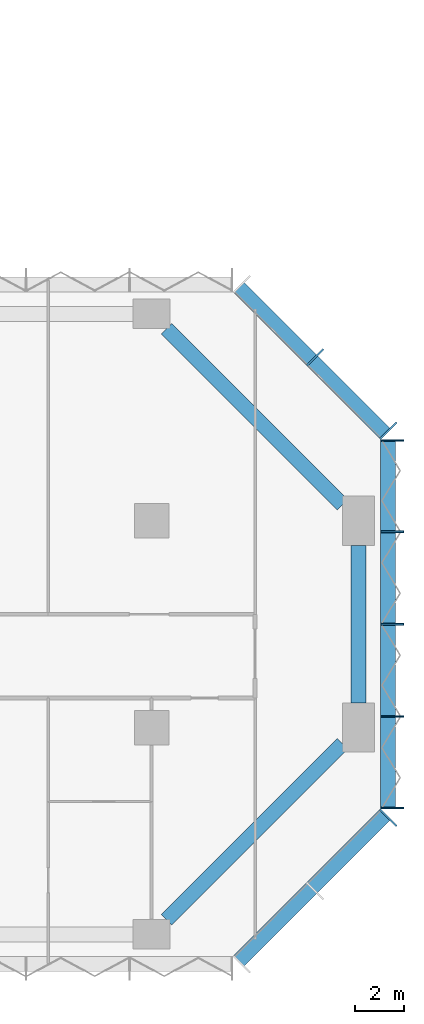
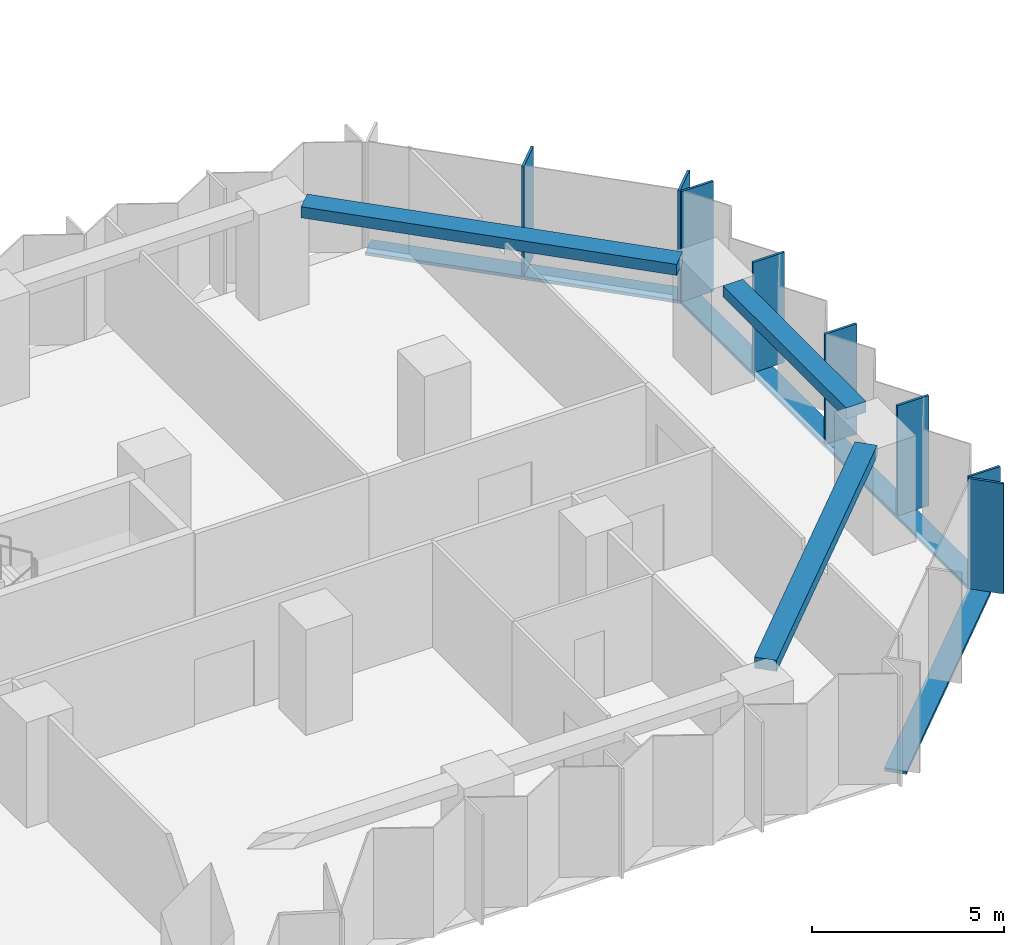
# One storey, part 4 of 15: 11 members, 3 beams, 3 elements without a shape of their own.
"""IFC4 building model written with IfcOpenShell, lengths in metres."""

from ifc_helpers import new_model, si_unit, direction, frame, origin, origin_2d, place, context, subcontext, project, spatial, rectangle, extrude, material, material_profile, profile_set, type_object, element, aggregate, save


model = new_model("IFC4")

# Units and contexts
model_context = context("Model", 3, precision=1e-05, world=origin(), true_north=direction((0.0, 1.0)))
body_context = subcontext(model_context, "Body", "Model", "MODEL_VIEW")
ifc_project = project(units=[si_unit("LENGTHUNIT", "METRE"), si_unit("AREAUNIT", "SQUARE_METRE"), si_unit("VOLUMEUNIT", "CUBIC_METRE"), si_unit("PLANEANGLEUNIT", "RADIAN"), si_unit("MASSUNIT", "GRAM", prefix="KILO")], contexts=[model_context])

# Site, building, storey
site_placement = place(None, origin())
site = spatial("IfcSite", under=ifc_project, at=site_placement, CompositionType="ELEMENT")
building_placement = place(site_placement, origin())
building = spatial("IfcBuilding", under=site, at=building_placement, Name="Brevane Broadcast Tower", CompositionType="ELEMENT")
storey_placement = place(building_placement, frame((0.0, 0.0, 61.699951171875)))
storey = spatial("IfcBuildingStorey", under=building, at=storey_placement, Name="L13", CompositionType="ELEMENT", Elevation=61.699951171875)

# Curtain wall, member
ifc_material_1 = material(Name="Aluminium 6063-T6 bronze anodised", Category="aluminium")
curtain_wall_type = type_object("IfcCurtainWallType", Name="CW-1 curtain wall", PredefinedType="NOTDEFINED", material=ifc_material_1)
curtain_wall_1_placement = place(storey_placement, origin())
curtain_wall_1 = element("IfcCurtainWall", 1, at=curtain_wall_1_placement, inside=storey, type_object=curtain_wall_type, Name="CW-1 typical tilted unit L13 south-east chamfer", PredefinedType="NOTDEFINED")
ifc_material_profile_1 = material_profile(ifc_material_1, rectangle(XDim=0.949951171875, YDim=0.070068359375, at=origin_2d()), Name="RECT 70x950")
ifc_profile_set_1 = profile_set([ifc_material_profile_1], Name="Aluminium 6063-T6 bronze anodised")
member_type_1 = type_object("IfcMemberType", Name="CW-1 mullion 70x950", PredefinedType="MULLION", material=ifc_profile_set_1)
member_1_placement = place(storey_placement, frame((68.4111328125, 4.7392578125, -0.14990234375), z_axis=(0.0, 0.0, 1.0), x_axis=(-0.707106781187, 0.707106781187, 0.0)))
member_1 = element("IfcMember", 2, at=member_1_placement, type_object=member_type_1, Name="CW-1 mullion", PredefinedType="MULLION", context=body_context, shape_type="SweptSolid", body=[
    extrude(rectangle(XDim=0.949951171875, YDim=0.070068359375, at=origin_2d()), origin(), (0.0, 0.0, 1.0), 3.5),
])

# Curtain wall, members
curtain_wall_2_placement = place(storey_placement, origin())
curtain_wall_2 = element("IfcCurtainWall", 3, at=curtain_wall_2_placement, inside=storey, type_object=curtain_wall_type, Name="CW-1 typical tilted unit L13 east end", PredefinedType="NOTDEFINED")
member_2_placement = place(storey_placement, frame((68.574951171875, 5.135009765625, -0.14990234375), z_axis=(0.0, 0.0, 1.0), x_axis=(-1.0, 0.0, 0.0)))
member_2 = element("IfcMember", 4, at=member_2_placement, type_object=member_type_1, Name="CW-1 mullion", PredefinedType="MULLION", context=body_context, shape_type="SweptSolid", body=[
    extrude(rectangle(XDim=0.949951171875, YDim=0.070068359375, at=origin_2d()), origin(), (0.0, 0.0, 1.0), 3.5),
])
member_3_placement = place(storey_placement, frame((68.574951171875, 8.85009765625, -0.14990234375), z_axis=(0.0, 0.0, 1.0), x_axis=(-1.0, 0.0, 0.0)))
member_3 = element("IfcMember", 5, at=member_3_placement, type_object=member_type_1, Name="CW-1 mullion", PredefinedType="MULLION", context=body_context, shape_type="SweptSolid", body=[
    extrude(rectangle(XDim=0.949951171875, YDim=0.070068359375, at=origin_2d()), origin(), (0.0, 0.0, 1.0), 3.5),
])
member_4_placement = place(storey_placement, frame((68.574951171875, 12.60009765625, -0.14990234375), z_axis=(0.0, 0.0, 1.0), x_axis=(-1.0, 0.0, 0.0)))
member_4 = element("IfcMember", 6, at=member_4_placement, type_object=member_type_1, Name="CW-1 mullion", PredefinedType="MULLION", context=body_context, shape_type="SweptSolid", body=[
    extrude(rectangle(XDim=0.949951171875, YDim=0.070068359375, at=origin_2d()), origin(), (0.0, 0.0, 1.0), 3.5),
])
member_5_placement = place(storey_placement, frame((68.574951171875, 16.35009765625, -0.14990234375), z_axis=(0.0, 0.0, 1.0), x_axis=(-1.0, 0.0, 0.0)))
member_5 = element("IfcMember", 7, at=member_5_placement, type_object=member_type_1, Name="CW-1 mullion", PredefinedType="MULLION", context=body_context, shape_type="SweptSolid", body=[
    extrude(rectangle(XDim=0.949951171875, YDim=0.070068359375, at=origin_2d()), origin(), (0.0, 0.0, 1.0), 3.5),
])
member_6_placement = place(storey_placement, frame((68.574951171875, 20.06494140625, -0.14990234375), z_axis=(0.0, 0.0, 1.0), x_axis=(-1.0, 0.0, 0.0)))
member_6 = element("IfcMember", 8, at=member_6_placement, type_object=member_type_1, Name="CW-1 mullion", PredefinedType="MULLION", context=body_context, shape_type="SweptSolid", body=[
    extrude(rectangle(XDim=0.949951171875, YDim=0.070068359375, at=origin_2d()), origin(), (0.0, 0.0, 1.0), 3.5),
])

curtain_wall_3_placement = place(storey_placement, origin())
curtain_wall_3 = element("IfcCurtainWall", 9, at=curtain_wall_3_placement, inside=storey, type_object=curtain_wall_type, Name="CW-1 typical tilted unit L13 north-east chamfer", PredefinedType="NOTDEFINED")
member_7_placement = place(storey_placement, frame((68.4111328125, 20.460693359375, -0.14990234375), z_axis=(0.0, 0.0, 1.0), x_axis=(-0.707106781187, -0.707106781187, 0.0)))
member_7 = element("IfcMember", 10, at=member_7_placement, type_object=member_type_1, Name="CW-1 mullion", PredefinedType="MULLION", context=body_context, shape_type="SweptSolid", body=[
    extrude(rectangle(XDim=0.949951171875, YDim=0.070068359375, at=origin_2d()), origin(), (0.0, 0.0, 1.0), 3.5),
])
member_8_placement = place(storey_placement, frame((65.435791015625, 23.435791015625, -0.14990234375), z_axis=(0.0, 0.0, 1.0), x_axis=(-0.707106781187, -0.707106781187, 0.0)))
member_8 = element("IfcMember", 11, at=member_8_placement, type_object=member_type_1, Name="CW-1 mullion", PredefinedType="MULLION", context=body_context, shape_type="SweptSolid", body=[
    extrude(rectangle(XDim=0.949951171875, YDim=0.070068359375, at=origin_2d()), origin(), (0.0, 0.0, 1.0), 3.5),
])

# Member
ifc_material_profile_2 = material_profile(ifc_material_1, rectangle(XDim=0.60009765625, YDim=0.10009765625, at=origin_2d()), Name="RECT 100x600")
ifc_profile_set_2 = profile_set([ifc_material_profile_2], Name="Aluminium 6063-T6 bronze anodised")
member_type_2 = type_object("IfcMemberType", Name="CW-1 transom 100x600", PredefinedType="USERDEFINED", material=ifc_profile_set_2)
member_9_placement = place(storey_placement, frame((62.31201171875, -1.112060546875, -0.199951171875), z_axis=(0.707106781187, 0.707106781187, 0.0), x_axis=(-0.707106781187, 0.707106781187, 0.0)))
member_9 = element("IfcMember", 12, at=member_9_placement, type_object=member_type_2, Name="CW-1 transom", ObjectType="TRANSOM", PredefinedType="USERDEFINED", context=body_context, shape_type="SweptSolid", body=[
    extrude(rectangle(XDim=0.60009765625, YDim=0.10009765625, at=origin_2d()), origin(), (0.0, 0.0, 1.0), 8.4853515625),
])

aggregate(curtain_wall_1, [member_1, member_9])

member_10_placement = place(storey_placement, frame((68.39990234375, 5.10009765625, -0.199951171875), z_axis=(0.0, 1.0, 0.0), x_axis=(-1.0, 0.0, 0.0)))
member_10 = element("IfcMember", 13, at=member_10_placement, type_object=member_type_2, Name="CW-1 transom", ObjectType="TRANSOM", PredefinedType="USERDEFINED", context=body_context, shape_type="SweptSolid", body=[
    extrude(rectangle(XDim=0.60009765625, YDim=0.10009765625, at=origin_2d()), origin(), (0.0, 0.0, 1.0), 15.0),
])

aggregate(curtain_wall_2, [member_2, member_3, member_4, member_5, member_6, member_10])

member_11_placement = place(storey_placement, frame((68.31201171875, 20.31201171875, -0.199951171875), z_axis=(-0.707106781187, 0.707106781187, 0.0), x_axis=(-0.707106781187, -0.707106781187, 0.0)))
member_11 = element("IfcMember", 14, at=member_11_placement, type_object=member_type_2, Name="CW-1 transom", ObjectType="TRANSOM", PredefinedType="USERDEFINED", context=body_context, shape_type="SweptSolid", body=[
    extrude(rectangle(XDim=0.60009765625, YDim=0.10009765625, at=origin_2d()), origin(), (0.0, 0.0, 1.0), 8.4853515625),
])

aggregate(curtain_wall_3, [member_7, member_8, member_11])

# Beams
ifc_material_2 = material(Name="Concrete C40/50", Category="concrete")
ifc_material_profile_3 = material_profile(ifc_material_2, rectangle(XDim=0.60009765625, YDim=0.35009765625, at=origin_2d()), Name="RC 600x350")
ifc_profile_set_3 = profile_set([ifc_material_profile_3], Name="Concrete C40/50")
beam_type = type_object("IfcBeamType", Name="RC SPANDREL BEAM 600x350 C40/50", PredefinedType="SPANDREL", material=ifc_profile_set_3)
beam_1_placement = place(storey_placement, frame((59.39990234375, 0.60009765625, 3.175048828125), z_axis=(0.707118853314, 0.707094708853, 0.0), x_axis=(-0.707094708853, 0.707118853314, 0.0)))
element("IfcBeam", 15, at=beam_1_placement, inside=storey, type_object=beam_type, Name="EB1 L13-5", PredefinedType="SPANDREL", context=body_context, shape_type="SweptSolid", body=[
    extrude(rectangle(XDim=0.60009765625, YDim=0.35009765625, at=origin_2d()), origin(), (0.0, 0.0, 1.0), 10.111572265625),
])
beam_2_placement = place(storey_placement, frame((67.199951171875, 9.39990234375, 3.175048828125), z_axis=(0.0, 1.0, 0.0), x_axis=(-1.0, 0.0, 0.0)))
element("IfcBeam", 16, at=beam_2_placement, inside=storey, type_object=beam_type, Name="EB1 L13-6", PredefinedType="SPANDREL", context=body_context, shape_type="SweptSolid", body=[
    extrude(rectangle(XDim=0.60009765625, YDim=0.35009765625, at=origin_2d()), origin(), (0.0, 0.0, 1.0), 6.400146484375),
])
beam_3_placement = place(storey_placement, frame((66.550048828125, 17.449951171875, 3.175048828125), z_axis=(-0.707106781187, 0.707106781187, 0.0), x_axis=(-0.707106781187, -0.707106781187, 0.0)))
element("IfcBeam", 17, at=beam_3_placement, inside=storey, type_object=beam_type, Name="EB1 L13-7", PredefinedType="SPANDREL", context=body_context, shape_type="SweptSolid", body=[
    extrude(rectangle(XDim=0.60009765625, YDim=0.35009765625, at=origin_2d()), origin(), (0.0, 0.0, 1.0), 10.11181640625),
])

save(model, "model.ifc")
